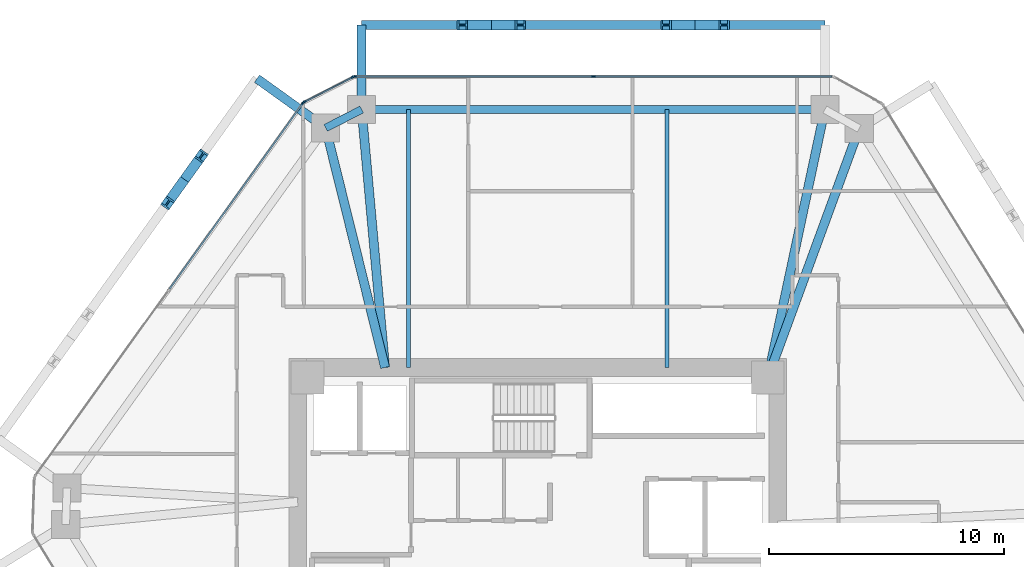
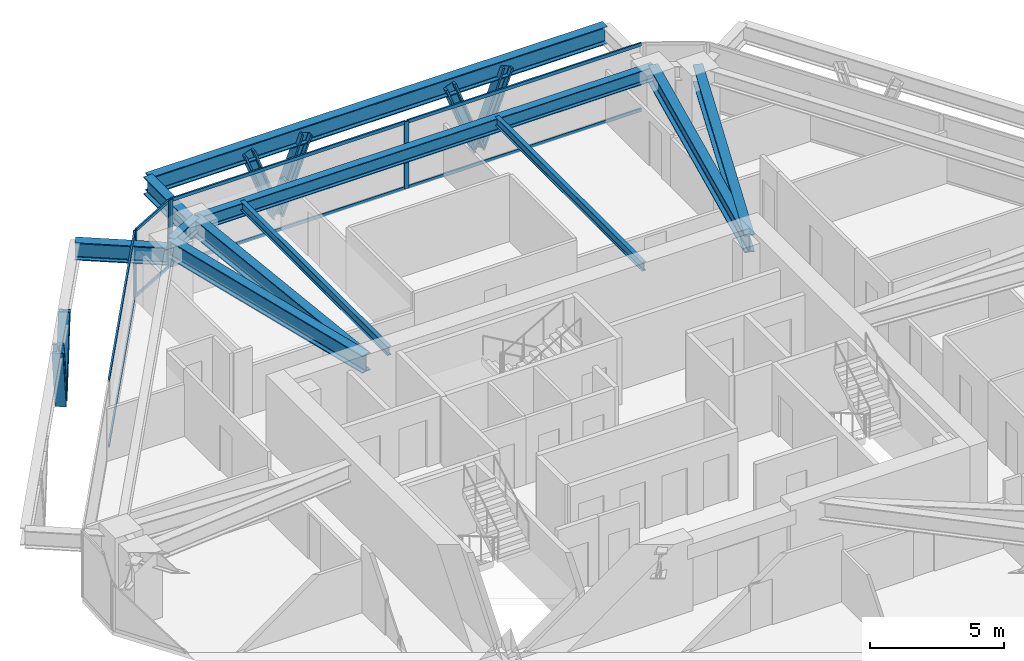
# One storey, part 7 of 14: 19 members, 11 beams, 3 elements without a shape of their own.
"""IFC4 building model written with IfcOpenShell, lengths in metres."""

from ifc_helpers import new_model, si_unit, direction, frame, origin, origin_2d, place, context, subcontext, project, spatial, rectangle, i_section, extrude, source, transform, mapped, material, layer, layer_set, material_profile, profile_set, type_object, type_shapes, element, aggregate, save


model = new_model("IFC4")

# Units and contexts
model_context = context("Model", 3, precision=1e-05, world=origin(), true_north=direction((0.0, 1.0)))
body_context = subcontext(model_context, "Body", "Model", "MODEL_VIEW")
ifc_project = project(units=[si_unit("LENGTHUNIT", "METRE"), si_unit("AREAUNIT", "SQUARE_METRE"), si_unit("VOLUMEUNIT", "CUBIC_METRE"), si_unit("PLANEANGLEUNIT", "RADIAN"), si_unit("MASSUNIT", "GRAM", prefix="KILO")], contexts=[model_context])

# Site, building, storey
site_placement = place(None, origin())
site = spatial("IfcSite", under=ifc_project, at=site_placement, CompositionType="ELEMENT")
building_placement = place(site_placement, origin())
building = spatial("IfcBuilding", under=site, at=building_placement, Name="Durnholm Broadcast Tower", CompositionType="ELEMENT")
storey_placement = place(building_placement, frame((0.0, 0.0, 107.39990234375)))
storey = spatial("IfcBuildingStorey", under=building, at=storey_placement, Name="L28", CompositionType="ELEMENT", Elevation=107.39990234375)

# Beams
ifc_material_1 = material(Name="Steel ASTM A992 Grade 50", Category="steel")
ifc_material_profile_1 = material_profile(ifc_material_1, i_section(OverallWidth=0.385009765625, OverallDepth=0.802978515625, WebThickness=0.023681640625, FlangeThickness=0.0419921875, FilletRadius=0.032958984375, at=origin_2d()), Name="W30X261")
ifc_profile_set_1 = profile_set([ifc_material_profile_1], Name="Steel ASTM A992 Grade 50")
beam_type_1 = type_object("IfcBeamType", Name="BM-EXO-TIE", PredefinedType="USERDEFINED", material=ifc_profile_set_1)
shared_shape_1 = source(origin(), body_context, "Body", "SweptSolid", [
    extrude(i_section(OverallWidth=0.385009765625, OverallDepth=0.802978515625, WebThickness=0.023681640625, FlangeThickness=0.0419921875, FilletRadius=0.032958984375, at=origin_2d()), origin(), (0.0, 0.0, 1.0), 3.4560546875),
])
beam_1_placement = place(storey_placement, frame((-7.498046875, 19.35888671875, 2.30859375), z_axis=(0.0, 1.0, 0.0), x_axis=(-1.0, 0.0, 0.0)))
element("IfcBeam", 1, at=beam_1_placement, inside=storey, type_object=beam_type_1, Name="L28 exoskeleton stand-off tie bracket F4.2", ObjectType="GIRDER", PredefinedType="USERDEFINED", context=body_context, shape_type="MappedRepresentation", body=[
    mapped(shared_shape_1, transform((0.0, 0.0, 0.0), x_axis=(1.0, 0.0, 0.0), y_axis=(0.0, 1.0, 0.0), z_axis=(0.0, 0.0, 1.0), scale=1.0)),
])
ifc_material_profile_2 = material_profile(ifc_material_1, i_section(OverallWidth=0.3291015625, OverallDepth=0.635009765625, WebThickness=0.017822265625, FlangeThickness=0.031005859375, FilletRadius=0.02783203125, at=origin_2d()), Name="W24X162")
ifc_profile_set_2 = profile_set([ifc_material_profile_2], Name="Steel ASTM A992 Grade 50")
beam_type_2 = type_object("IfcBeamType", Name="STL-SP-W24X162", PredefinedType="SPANDREL", material=ifc_profile_set_2)
shared_shape_2 = source(origin(), body_context, "Body", "SweptSolid", [
    extrude(i_section(OverallWidth=0.3291015625, OverallDepth=0.635009765625, WebThickness=0.017822265625, FlangeThickness=0.031005859375, FilletRadius=0.02783203125, at=origin_2d()), origin(), (0.0, 0.0, 1.0), 1.723876953125),
])
beam_2_placement = place(storey_placement, frame((-9.031982421875, 18.42822265625, 2.7275390625), z_axis=(0.889762904339, 0.456423020959, 0.0), x_axis=(-0.456423020959, 0.889762904339, 0.0)))
element("IfcBeam", 2, at=beam_2_placement, inside=storey, type_object=beam_type_2, Name="L28 perimeter spandrel girder 04", PredefinedType="SPANDREL", context=body_context, shape_type="MappedRepresentation", body=[
    mapped(shared_shape_2, transform((0.0, 0.0, 0.0), x_axis=(1.0, 0.0, 0.0), y_axis=(0.0, 1.0, 0.0), z_axis=(0.0, 0.0, 1.0), scale=1.0)),
])
shared_shape_3 = source(origin(), body_context, "Body", "SweptSolid", [
    extrude(i_section(OverallWidth=0.3291015625, OverallDepth=0.635009765625, WebThickness=0.017822265625, FlangeThickness=0.031005859375, FilletRadius=0.02783203125, at=origin_2d()), origin(), (0.0, 0.0, 1.0), 19.72802734375),
])
type_shapes(beam_type_2, [shared_shape_2, shared_shape_3])
beam_3_placement = place(storey_placement, frame((-7.498046875, 19.215087890625, 2.7275390625), z_axis=(1.0, 0.0, 0.0), x_axis=(0.0, 1.0, 0.0)))
element("IfcBeam", 3, at=beam_3_placement, inside=storey, type_object=beam_type_2, Name="L28 perimeter spandrel girder 05", PredefinedType="SPANDREL", context=body_context, shape_type="MappedRepresentation", body=[
    mapped(shared_shape_3, transform((0.0, 0.0, 0.0), x_axis=(1.0, 0.0, 0.0), y_axis=(0.0, 1.0, 0.0), z_axis=(0.0, 0.0, 1.0), scale=1.0)),
])
ifc_material_profile_3 = material_profile(ifc_material_1, i_section(OverallWidth=0.385009765625, OverallDepth=0.802978515625, WebThickness=0.023681640625, FlangeThickness=0.0419921875, FilletRadius=0.032958984375, at=origin_2d()), Name="W30X261")
ifc_profile_set_3 = profile_set([ifc_material_profile_3], Name="Steel ASTM A992 Grade 50")
beam_type_3 = type_object("IfcBeamType", Name="STL-GR-W30X261", PredefinedType="USERDEFINED", material=ifc_profile_set_3)
shared_shape_4 = source(origin(), body_context, "Body", "SweptSolid", [
    extrude(i_section(OverallWidth=0.385009765625, OverallDepth=0.802978515625, WebThickness=0.023681640625, FlangeThickness=0.0419921875, FilletRadius=0.032958984375, at=origin_2d()), origin(), (0.0, 0.0, 1.0), 10.5126953125),
])
beam_4_placement = place(storey_placement, frame((-6.5, 8.22509765625, 2.6435546875), z_axis=(-0.240852230194, 0.970561797729, 0.0), x_axis=(-0.970561797729, -0.240852230194, 0.0)))
element("IfcBeam", 4, at=beam_4_placement, inside=storey, type_object=beam_type_3, Name="L28 radial primary floor girder 04", ObjectType="GIRDER", PredefinedType="USERDEFINED", context=body_context, shape_type="MappedRepresentation", body=[
    mapped(shared_shape_4, transform((0.0, 0.0, 0.0), x_axis=(1.0, 0.0, 0.0), y_axis=(0.0, 1.0, 0.0), z_axis=(0.0, 0.0, 1.0), scale=1.0)),
])
shared_shape_5 = source(origin(), body_context, "Body", "SweptSolid", [
    extrude(i_section(OverallWidth=0.385009765625, OverallDepth=0.802978515625, WebThickness=0.023681640625, FlangeThickness=0.0419921875, FilletRadius=0.032958984375, at=origin_2d()), origin(), (0.0, 0.0, 1.0), 11.03515625),
])
beam_5_placement = place(storey_placement, frame((-6.5, 8.22509765625, 2.6435546875), z_axis=(-0.090441991612, 0.995901725148, 0.0), x_axis=(-0.995901725148, -0.090441991612, 0.0)))
element("IfcBeam", 5, at=beam_5_placement, inside=storey, type_object=beam_type_3, Name="L28 radial primary floor girder 05", ObjectType="GIRDER", PredefinedType="USERDEFINED", context=body_context, shape_type="MappedRepresentation", body=[
    mapped(shared_shape_5, transform((0.0, 0.0, 0.0), x_axis=(1.0, 0.0, 0.0), y_axis=(0.0, 1.0, 0.0), z_axis=(0.0, 0.0, 1.0), scale=1.0)),
])
shared_shape_6 = source(origin(), body_context, "Body", "SweptSolid", [
    extrude(i_section(OverallWidth=0.385009765625, OverallDepth=0.802978515625, WebThickness=0.023681640625, FlangeThickness=0.0419921875, FilletRadius=0.032958984375, at=origin_2d()), origin(), (0.0, 0.0, 1.0), 11.6708984375),
])
beam_6_placement = place(storey_placement, frame((9.800048828125, 7.800048828125, 2.6435546875), z_axis=(0.208206004915, 0.97808499606, 0.0), x_axis=(-0.97808499606, 0.208206004915, 0.0)))
element("IfcBeam", 6, at=beam_6_placement, inside=storey, type_object=beam_type_3, Name="L28 radial primary floor girder 06", ObjectType="GIRDER", PredefinedType="USERDEFINED", context=body_context, shape_type="MappedRepresentation", body=[
    mapped(shared_shape_6, transform((0.0, 0.0, 0.0), x_axis=(1.0, 0.0, 0.0), y_axis=(0.0, 1.0, 0.0), z_axis=(0.0, 0.0, 1.0), scale=1.0)),
])
shared_shape_7 = source(origin(), body_context, "Body", "SweptSolid", [
    extrude(i_section(OverallWidth=0.385009765625, OverallDepth=0.802978515625, WebThickness=0.023681640625, FlangeThickness=0.0419921875, FilletRadius=0.032958984375, at=origin_2d()), origin(), (0.0, 0.0, 1.0), 11.293212890625),
])
type_shapes(beam_type_3, [shared_shape_4, shared_shape_5, shared_shape_6, shared_shape_7])
beam_7_placement = place(storey_placement, frame((9.800048828125, 7.800048828125, 2.6435546875), z_axis=(0.344640193759, 0.938734859716, 0.0), x_axis=(-0.938734859716, 0.344640193759, 0.0)))
element("IfcBeam", 7, at=beam_7_placement, inside=storey, type_object=beam_type_3, Name="L28 radial primary floor girder 07", ObjectType="GIRDER", PredefinedType="USERDEFINED", context=body_context, shape_type="MappedRepresentation", body=[
    mapped(shared_shape_7, transform((0.0, 0.0, 0.0), x_axis=(1.0, 0.0, 0.0), y_axis=(0.0, 1.0, 0.0), z_axis=(0.0, 0.0, 1.0), scale=1.0)),
])
ifc_material_profile_4 = material_profile(ifc_material_1, i_section(OverallWidth=0.177734375, OverallDepth=0.40673828125, WebThickness=0.0078125, FlangeThickness=0.0126953125, FilletRadius=0.01904296875, at=origin_2d()), Name="W16X40")
ifc_profile_set_4 = profile_set([ifc_material_profile_4], Name="Steel ASTM A992 Grade 50")
beam_type_4 = type_object("IfcBeamType", Name="STL-BJ-W16X40", PredefinedType="JOIST", material=ifc_profile_set_4)
shared_shape_8 = source(origin(), body_context, "Body", "SweptSolid", [
    extrude(i_section(OverallWidth=0.177734375, OverallDepth=0.40673828125, WebThickness=0.0078125, FlangeThickness=0.0126953125, FilletRadius=0.01904296875, at=origin_2d()), origin(), (0.0, 0.0, 1.0), 10.989990234375),
])
type_shapes(beam_type_4, [shared_shape_8])
for number, where, z_axis, x_axis, name in (
    (8, (-5.5, 8.22509765625, 2.841796875), (0.0, 1.0, 0.0), (-1.0, 0.0, 0.0), "L28 secondary floor joist 3.2"),
    (9, (5.5, 8.22509765625, 2.841796875), (0.0, 1.0, 0.0), (-1.0, 0.0, 0.0), "L28 secondary floor joist 4.2"),
):
    element("IfcBeam", number, at=place(storey_placement, frame(where, z_axis=z_axis, x_axis=x_axis)), inside=storey, type_object=beam_type_4, Name=name, PredefinedType="JOIST", context=body_context, shape_type="MappedRepresentation", body=[
        mapped(shared_shape_8, transform((0.0, 0.0, 0.0), x_axis=(1.0, 0.0, 0.0), y_axis=(0.0, 1.0, 0.0), z_axis=(0.0, 0.0, 1.0), scale=1.0)),
    ])
shared_shape_9 = source(origin(), body_context, "Body", "SweptSolid", [
    extrude(i_section(OverallWidth=0.385009765625, OverallDepth=0.802978515625, WebThickness=0.023681640625, FlangeThickness=0.0419921875, FilletRadius=0.032958984375, at=origin_2d()), origin(), (0.0, 0.0, 1.0), 19.72802734375),
])
beam_8_placement = place(storey_placement, frame((12.22998046875, 22.81494140625, 2.30859375), z_axis=(-1.0, 0.0, 0.0), x_axis=(0.0, -1.0, 0.0)))
element("IfcBeam", 10, at=beam_8_placement, inside=storey, type_object=beam_type_1, Name="L28 exoskeleton collector spandrel F4", PredefinedType="SPANDREL", context=body_context, shape_type="MappedRepresentation", body=[
    mapped(shared_shape_9, transform((0.0, 0.0, 0.0), x_axis=(1.0, 0.0, 0.0), y_axis=(0.0, 1.0, 0.0), z_axis=(0.0, 0.0, 1.0), scale=1.0)),
])
shared_shape_10 = source(origin(), body_context, "Body", "SweptSolid", [
    extrude(i_section(OverallWidth=0.385009765625, OverallDepth=0.802978515625, WebThickness=0.023681640625, FlangeThickness=0.0419921875, FilletRadius=0.032958984375, at=origin_2d()), origin(), (0.0, 0.0, 1.0), 3.456298828125),
])
type_shapes(beam_type_1, [shared_shape_1, shared_shape_9, shared_shape_10])
beam_9_placement = place(storey_placement, frame((-9.14892578125, 18.51220703125, 2.30859375), z_axis=(-0.812131479052, 0.583474473077, 0.0), x_axis=(-0.583474473077, -0.812131479052, 0.0)))
element("IfcBeam", 11, at=beam_9_placement, inside=storey, type_object=beam_type_1, Name="L28 exoskeleton stand-off tie bracket F5.1", ObjectType="GIRDER", PredefinedType="USERDEFINED", context=body_context, shape_type="MappedRepresentation", body=[
    mapped(shared_shape_10, transform((0.0, 0.0, 0.0), x_axis=(1.0, 0.0, 0.0), y_axis=(0.0, 1.0, 0.0), z_axis=(0.0, 0.0, 1.0), scale=1.0)),
])

# Members
ifc_material_2 = material(Name="Steel ASTM A913 Grade 65", Category="steel")
ifc_material_profile_5 = material_profile(ifc_material_2, i_section(OverallWidth=0.424072265625, OverallDepth=0.47412109375, WebThickness=0.047607421875, FlangeThickness=0.0771484375, FilletRadius=0.030517578125, at=origin_2d()), Name="W14X426")
ifc_profile_set_5 = profile_set([ifc_material_profile_5], Name="Steel ASTM A913 Grade 65")
member_type_1 = type_object("IfcMemberType", Name="STL-DG-W14X426", PredefinedType="BRACE", material=ifc_profile_set_5)
shared_shape_11 = source(origin(), body_context, "Body", "SweptSolid", [
    extrude(i_section(OverallWidth=0.424072265625, OverallDepth=0.47412109375, WebThickness=0.047607421875, FlangeThickness=0.0771484375, FilletRadius=0.030517578125, at=origin_2d()), origin(), (0.0, 0.0, 1.0), 3.52294921875),
])
type_shapes(member_type_1, [shared_shape_11])
for number, where, z_axis, x_axis, name in (
    (12, (6.7060546875, 22.81494140625, -0.9912109375), (0.350242321485, 0.0, 0.93665912489), (0.0, 1.0, 0.0), "L28 stand-off diagrid brace F4.D1.1"),
    (13, (6.7060546875, 22.81494140625, -0.9912109375), (-0.35018152026, 0.0, 0.936681857873), (0.0, -1.0, 0.0), "L28 stand-off diagrid brace F4.D1.2"),
    (14, (-1.974365234375, 22.81494140625, -0.9912109375), (0.350242321485, 0.0, 0.93665912489), (0.0, 1.0, 0.0), "L28 stand-off diagrid brace F4.D2.1"),
    (15, (-1.974365234375, 22.81494140625, -0.9912109375), (-0.35018152026, 0.0, 0.936681857873), (0.0, -1.0, 0.0), "L28 stand-off diagrid brace F4.D2.2"),
    (16, (-15.040771484375, 16.234375, -0.9912109375), (0.204301080379, 0.284413715697, 0.936680258615), (-0.812179469647, 0.583407669717, 0.0), "L28 stand-off diagrid brace F5.D1.1"),
    (17, (-15.040771484375, 16.234375, -0.9912109375), (-0.204367487982, -0.284409688259, 0.936666994764), (0.812085698931, -0.583538188632, 0.0), "L28 stand-off diagrid brace F5.D1.2"),
):
    element("IfcMember", number, at=place(storey_placement, frame(where, z_axis=z_axis, x_axis=x_axis)), inside=storey, type_object=member_type_1, Name=name, PredefinedType="BRACE", context=body_context, shape_type="MappedRepresentation", body=[
        mapped(shared_shape_11, transform((0.0, 0.0, 0.0), x_axis=(1.0, 0.0, 0.0), y_axis=(0.0, 1.0, 0.0), z_axis=(0.0, 0.0, 1.0), scale=1.0)),
    ])

# Curtain wall, members
ifc_material_3 = material(Name="Aluminium and Solar Control IGU", Category="aluminium")
ifc_layer_1 = layer(ifc_material_3, 0.1650390625)
ifc_layer_set_1 = layer_set([ifc_layer_1], Name="Aluminium and Solar Control IGU")
curtain_wall_type_1 = type_object("IfcCurtainWallType", Name="CW-SYS-5", PredefinedType="NOTDEFINED", material=ifc_layer_set_1)
curtain_wall_1_placement = place(storey_placement, origin())
curtain_wall_1 = element("IfcCurtainWall", 18, at=curtain_wall_1_placement, inside=storey, type_object=curtain_wall_type_1, Name="L28 curtain wall CW-CORNER CW-L28-CRN-03", PredefinedType="NOTDEFINED")
ifc_material_4 = material(Name="Aluminium 6063-T6", Category="aluminium")
ifc_material_profile_6 = material_profile(ifc_material_4, rectangle(XDim=0.06494140625, YDim=0.1650390625, at=origin_2d()), Name="CWM65X165")
ifc_profile_set_6 = profile_set([ifc_material_profile_6], Name="Aluminium 6063-T6")
member_type_2 = type_object("IfcMemberType", Name="CW-SYS-5-MUL", PredefinedType="MULLION", material=ifc_profile_set_6)
shared_shape_12 = source(origin(), body_context, "Body", "SweptSolid", [
    extrude(rectangle(XDim=0.06494140625, YDim=0.1650390625, at=origin_2d()), origin(), (0.0, 0.0, 1.0), 3.06005859375),
])
type_shapes(member_type_2, [shared_shape_12])
member_1_placement = place(storey_placement, frame((-9.94287109375, 19.534423828125, 0.0), z_axis=(0.0, 0.0, 1.0), x_axis=(-0.45637332267, 0.889788396392, 0.0)))
member_1 = element("IfcMember", 19, at=member_1_placement, type_object=member_type_2, Name="CW-CORNER mullion 1", PredefinedType="MULLION", context=body_context, shape_type="MappedRepresentation", body=[
    mapped(shared_shape_12, transform((0.0, 0.0, 0.0), x_axis=(1.0, 0.0, 0.0), y_axis=(0.0, 1.0, 0.0), z_axis=(0.0, 0.0, 1.0), scale=1.0)),
])
member_2_placement = place(storey_placement, frame((-7.865234375, 20.60009765625, 0.0), z_axis=(0.0, 0.0, 1.0), x_axis=(-0.45637332267, 0.889788396392, 0.0)))
member_2 = element("IfcMember", 20, at=member_2_placement, type_object=member_type_2, Name="CW-CORNER mullion 2", PredefinedType="MULLION", context=body_context, shape_type="MappedRepresentation", body=[
    mapped(shared_shape_12, transform((0.0, 0.0, 0.0), x_axis=(1.0, 0.0, 0.0), y_axis=(0.0, 1.0, 0.0), z_axis=(0.0, 0.0, 1.0), scale=1.0)),
])

# Curtain wall, member
ifc_layer_2 = layer(ifc_material_3, 0.18994140625)
ifc_layer_set_2 = layer_set([ifc_layer_2], Name="Aluminium and Solar Control IGU")
curtain_wall_type_2 = type_object("IfcCurtainWallType", Name="CW-SYS-3", PredefinedType="NOTDEFINED", material=ifc_layer_set_2)
curtain_wall_2_placement = place(storey_placement, origin())
curtain_wall_2 = element("IfcCurtainWall", 21, at=curtain_wall_2_placement, inside=storey, type_object=curtain_wall_type_2, Name="L28 curtain wall CW-Z12-VIS CW-L28-F02", PredefinedType="NOTDEFINED")
ifc_material_profile_7 = material_profile(ifc_material_4, rectangle(XDim=0.070068359375, YDim=0.18994140625, at=origin_2d()), Name="CWM70X190")
ifc_profile_set_7 = profile_set([ifc_material_profile_7], Name="Aluminium 6063-T6")
member_type_3 = type_object("IfcMemberType", Name="CW-SYS-3-MUL", PredefinedType="MULLION", material=ifc_profile_set_7)
shared_shape_13 = source(origin(), body_context, "Body", "SweptSolid", [
    extrude(rectangle(XDim=0.070068359375, YDim=0.18994140625, at=origin_2d()), origin(), (0.0, 0.0, 1.0), 3.06005859375),
])
type_shapes(member_type_3, [shared_shape_13])
member_3_placement = place(storey_placement, frame((-9.9921875, 19.4912109375, 0.0), z_axis=(0.0, 0.0, 1.0), x_axis=(-0.812152312759, 0.583445473786, 0.0)))
member_3 = element("IfcMember", 22, at=member_3_placement, type_object=member_type_3, Name="CW-Z12-VIS mullion 3", PredefinedType="MULLION", context=body_context, shape_type="MappedRepresentation", body=[
    mapped(shared_shape_13, transform((0.0, 0.0, 0.0), x_axis=(1.0, 0.0, 0.0), y_axis=(0.0, 1.0, 0.0), z_axis=(0.0, 0.0, 1.0), scale=1.0)),
])

# Curtain wall, members
curtain_wall_3_placement = place(storey_placement, origin())
curtain_wall_3 = element("IfcCurtainWall", 23, at=curtain_wall_3_placement, inside=storey, type_object=curtain_wall_type_2, Name="L28 curtain wall CW-Z12-VIS CW-L28-F04", PredefinedType="NOTDEFINED")
member_4_placement = place(storey_placement, frame((-7.80126953125, 20.614990234375, 0.0), z_axis=(0.0, 0.0, 1.0), x_axis=(0.0, 1.0, 0.0)))
member_4 = element("IfcMember", 24, at=member_4_placement, type_object=member_type_3, Name="CW-Z12-VIS mullion 1", PredefinedType="MULLION", context=body_context, shape_type="MappedRepresentation", body=[
    mapped(shared_shape_13, transform((0.0, 0.0, 0.0), x_axis=(1.0, 0.0, 0.0), y_axis=(0.0, 1.0, 0.0), z_axis=(0.0, 0.0, 1.0), scale=1.0)),
])
member_5_placement = place(storey_placement, frame((2.37841796875, 20.614990234375, 0.0), z_axis=(0.0, 0.0, 1.0), x_axis=(0.0, 1.0, 0.0)))
member_5 = element("IfcMember", 25, at=member_5_placement, type_object=member_type_3, Name="CW-Z12-VIS mullion 2", PredefinedType="MULLION", context=body_context, shape_type="MappedRepresentation", body=[
    mapped(shared_shape_13, transform((0.0, 0.0, 0.0), x_axis=(1.0, 0.0, 0.0), y_axis=(0.0, 1.0, 0.0), z_axis=(0.0, 0.0, 1.0), scale=1.0)),
])

# Member
ifc_material_profile_8 = material_profile(ifc_material_4, rectangle(XDim=0.06494140625, YDim=0.1298828125, at=origin_2d()), Name="CWT65X130")
ifc_profile_set_8 = profile_set([ifc_material_profile_8], Name="Aluminium 6063-T6")
member_type_4 = type_object("IfcMemberType", Name="CW-SYS-5-TRN", PredefinedType="USERDEFINED", material=ifc_profile_set_8)
shared_shape_14 = source(origin(), body_context, "Body", "SweptSolid", [
    extrude(rectangle(XDim=0.06494140625, YDim=0.1298828125, at=origin_2d()), origin(), (0.0, 0.0, 1.0), 2.27001953125),
])
type_shapes(member_type_4, [shared_shape_14])
member_6_placement = place(storey_placement, frame((-9.913818359375, 19.54931640625, 0.03271484375), z_axis=(0.889754750021, 0.456438916849, 0.0), x_axis=(-0.456438916849, 0.889754750021, 0.0)))
member_6 = element("IfcMember", 26, at=member_6_placement, type_object=member_type_4, Name="CW-CORNER transom 1.1", ObjectType="TRANSOM", PredefinedType="USERDEFINED", context=body_context, shape_type="MappedRepresentation", body=[
    mapped(shared_shape_14, transform((0.0, 0.0, 0.0), x_axis=(1.0, 0.0, 0.0), y_axis=(0.0, 1.0, 0.0), z_axis=(0.0, 0.0, 1.0), scale=1.0)),
])

member_7_placement = place(storey_placement, frame((-9.913818359375, 19.54931640625, 3.027587890625), z_axis=(0.889754750021, 0.456438916849, 0.0), x_axis=(-0.456438916849, 0.889754750021, 0.0)))
member_7 = element("IfcMember", 27, at=member_7_placement, type_object=member_type_4, Name="CW-CORNER transom 1.2", ObjectType="TRANSOM", PredefinedType="USERDEFINED", context=body_context, shape_type="MappedRepresentation", body=[
    mapped(shared_shape_14, transform((0.0, 0.0, 0.0), x_axis=(1.0, 0.0, 0.0), y_axis=(0.0, 1.0, 0.0), z_axis=(0.0, 0.0, 1.0), scale=1.0)),
])

aggregate(curtain_wall_1, [member_1, member_2, member_6, member_7])

ifc_material_profile_9 = material_profile(ifc_material_4, rectangle(XDim=0.070068359375, YDim=0.14990234375, at=origin_2d()), Name="CWT70X150")
ifc_profile_set_9 = profile_set([ifc_material_profile_9], Name="Aluminium 6063-T6")
member_type_5 = type_object("IfcMemberType", Name="CW-SYS-3-TRN", PredefinedType="USERDEFINED", material=ifc_profile_set_9)
shared_shape_15 = source(origin(), body_context, "Body", "SweptSolid", [
    extrude(rectangle(XDim=0.070068359375, YDim=0.14990234375, at=origin_2d()), origin(), (0.0, 0.0, 1.0), 9.71875),
])
member_8_placement = place(storey_placement, frame((-15.682861328125, 11.56982421875, 0.03515625), z_axis=(0.583450726174, 0.812148539448, 0.0), x_axis=(-0.812148539448, 0.583450726174, 0.0)))
member_8 = element("IfcMember", 28, at=member_8_placement, type_object=member_type_5, Name="CW-Z12-VIS transom 2.1", ObjectType="TRANSOM", PredefinedType="USERDEFINED", context=body_context, shape_type="MappedRepresentation", body=[
    mapped(shared_shape_15, transform((0.0, 0.0, 0.0), x_axis=(1.0, 0.0, 0.0), y_axis=(0.0, 1.0, 0.0), z_axis=(0.0, 0.0, 1.0), scale=1.0)),
])

member_9_placement = place(storey_placement, frame((-15.682861328125, 11.56982421875, 3.025146484375), z_axis=(0.583450726174, 0.812148539448, 0.0), x_axis=(-0.812148539448, 0.583450726174, 0.0)))
member_9 = element("IfcMember", 29, at=member_9_placement, type_object=member_type_5, Name="CW-Z12-VIS transom 2.2", ObjectType="TRANSOM", PredefinedType="USERDEFINED", context=body_context, shape_type="MappedRepresentation", body=[
    mapped(shared_shape_15, transform((0.0, 0.0, 0.0), x_axis=(1.0, 0.0, 0.0), y_axis=(0.0, 1.0, 0.0), z_axis=(0.0, 0.0, 1.0), scale=1.0)),
])

aggregate(curtain_wall_2, [member_3, member_8, member_9])

shared_shape_16 = source(origin(), body_context, "Body", "SweptSolid", [
    extrude(rectangle(XDim=0.070068359375, YDim=0.14990234375, at=origin_2d()), origin(), (0.0, 0.0, 1.0), 10.109619140625),
])
type_shapes(member_type_5, [shared_shape_15, shared_shape_16])
member_10_placement = place(storey_placement, frame((-7.76611328125, 20.614990234375, 0.03515625), z_axis=(1.0, 0.0, 0.0), x_axis=(0.0, 1.0, 0.0)))
member_10 = element("IfcMember", 30, at=member_10_placement, type_object=member_type_5, Name="CW-Z12-VIS transom 1.1", ObjectType="TRANSOM", PredefinedType="USERDEFINED", context=body_context, shape_type="MappedRepresentation", body=[
    mapped(shared_shape_16, transform((0.0, 0.0, 0.0), x_axis=(1.0, 0.0, 0.0), y_axis=(0.0, 1.0, 0.0), z_axis=(0.0, 0.0, 1.0), scale=1.0)),
])

member_11_placement = place(storey_placement, frame((-7.76611328125, 20.614990234375, 3.025146484375), z_axis=(1.0, 0.0, 0.0), x_axis=(0.0, 1.0, 0.0)))
member_11 = element("IfcMember", 31, at=member_11_placement, type_object=member_type_5, Name="CW-Z12-VIS transom 1.2", ObjectType="TRANSOM", PredefinedType="USERDEFINED", context=body_context, shape_type="MappedRepresentation", body=[
    mapped(shared_shape_16, transform((0.0, 0.0, 0.0), x_axis=(1.0, 0.0, 0.0), y_axis=(0.0, 1.0, 0.0), z_axis=(0.0, 0.0, 1.0), scale=1.0)),
])

member_12_placement = place(storey_placement, frame((2.41357421875, 20.614990234375, 0.03515625), z_axis=(1.0, 0.0, 0.0), x_axis=(0.0, 1.0, 0.0)))
member_12 = element("IfcMember", 32, at=member_12_placement, type_object=member_type_5, Name="CW-Z12-VIS transom 2.1", ObjectType="TRANSOM", PredefinedType="USERDEFINED", context=body_context, shape_type="MappedRepresentation", body=[
    mapped(shared_shape_16, transform((0.0, 0.0, 0.0), x_axis=(1.0, 0.0, 0.0), y_axis=(0.0, 1.0, 0.0), z_axis=(0.0, 0.0, 1.0), scale=1.0)),
])

member_13_placement = place(storey_placement, frame((2.41357421875, 20.614990234375, 3.025146484375), z_axis=(1.0, 0.0, 0.0), x_axis=(0.0, 1.0, 0.0)))
member_13 = element("IfcMember", 33, at=member_13_placement, type_object=member_type_5, Name="CW-Z12-VIS transom 2.2", ObjectType="TRANSOM", PredefinedType="USERDEFINED", context=body_context, shape_type="MappedRepresentation", body=[
    mapped(shared_shape_16, transform((0.0, 0.0, 0.0), x_axis=(1.0, 0.0, 0.0), y_axis=(0.0, 1.0, 0.0), z_axis=(0.0, 0.0, 1.0), scale=1.0)),
])

aggregate(curtain_wall_3, [member_4, member_5, member_10, member_11, member_12, member_13])

save(model, "model.ifc")
